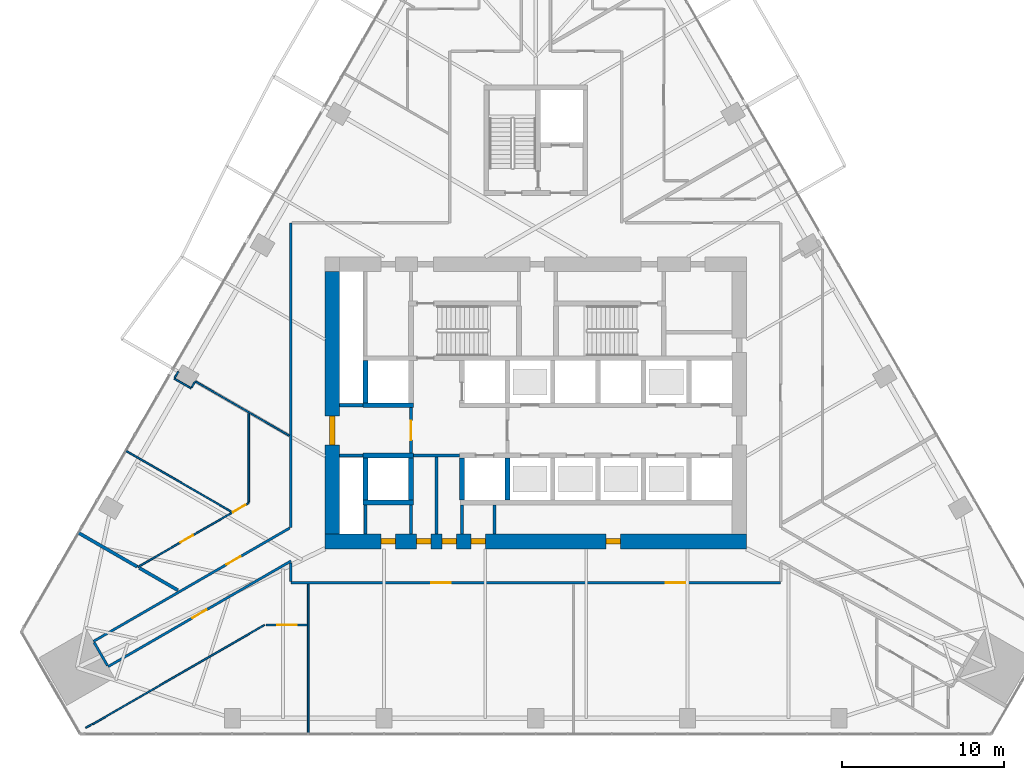
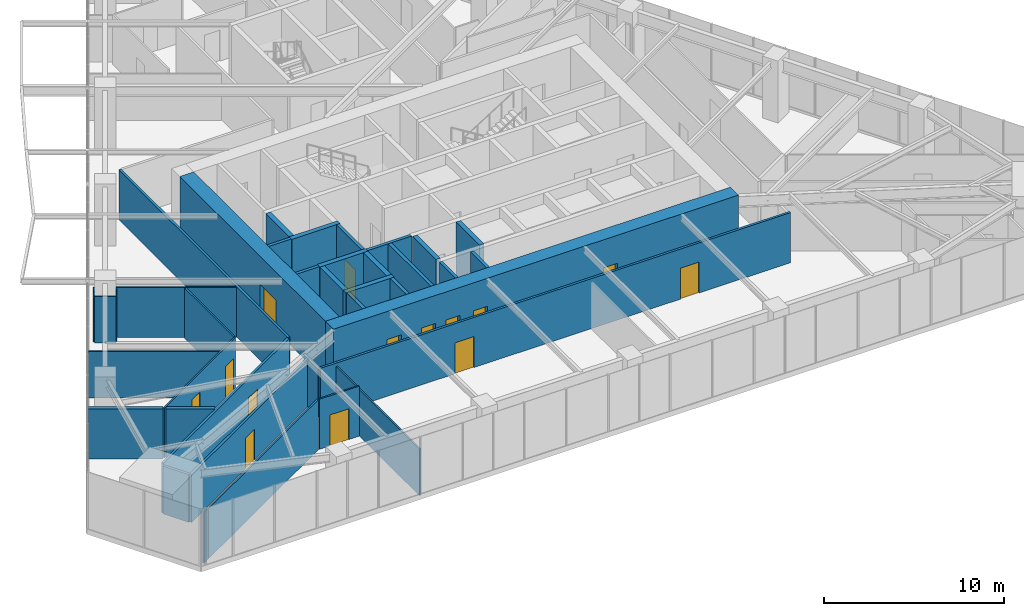
# One storey, part 16 of 22: 38 walls, 14 doors, 14 openings.
"""IFC4 building model written with IfcOpenShell, lengths in metres."""

from ifc_helpers import new_model, si_unit, direction, frame, frame_2d, origin, place, context, subcontext, project, spatial, rectangle, extrude, material, layer, layer_set, type_object, element, fill, save


model = new_model("IFC4")

# Units and contexts
model_context = context("Model", 3, precision=1e-05, world=origin(), true_north=direction((0.0, 1.0)))
body_context = subcontext(model_context, "Body", "Model", "MODEL_VIEW")
ifc_project = project(units=[si_unit("LENGTHUNIT", "METRE"), si_unit("AREAUNIT", "SQUARE_METRE"), si_unit("VOLUMEUNIT", "CUBIC_METRE"), si_unit("PLANEANGLEUNIT", "RADIAN"), si_unit("MASSUNIT", "GRAM", prefix="KILO")], contexts=[model_context])

# Site, building, storey
site_placement = place(None, origin())
site = spatial("IfcSite", under=ifc_project, at=site_placement, CompositionType="ELEMENT")
building_placement = place(site_placement, origin())
building = spatial("IfcBuilding", under=site, at=building_placement, Name="Firuza Gate Tower and Library", CompositionType="ELEMENT")
storey_placement = place(building_placement, frame((0.0, 0.0, 111.39990234375)))
storey = spatial("IfcBuildingStorey", under=building, at=storey_placement, Name="L25", CompositionType="ELEMENT", Elevation=111.39990234375)

# Walls
ifc_material_1 = material(Name="Plasterboard on steel studs", Category="steel")
ifc_layer_1 = layer(ifc_material_1, 0.199951171875)
ifc_layer_set_1 = layer_set([ifc_layer_1], Name="Core partition 200 EI 120")
wall_type_1 = type_object("IfcWallType", Name="Core partition 200 EI 120", PredefinedType="PARTITIONING", material=ifc_layer_set_1)
wall_1_placement = place(storey_placement, frame((62.89990234375, 71.75, 0.0), z_axis=(0.0, 0.0, 1.0), x_axis=(1.0, 0.0, 0.0)))
element("IfcWall", 1, at=wall_1_placement, inside=storey, type_object=wall_type_1, Name="Core partition L25 1", PredefinedType="PARTITIONING", context=body_context, shape_type="SweptSolid", body=[
    extrude(rectangle(XDim=1.4501953125, YDim=0.199951171875, at=frame_2d((0.72509765625, 0.0))), origin(), (0.0, 0.0, 1.0), 4.0),
])
wall_2_placement = place(storey_placement, frame((67.449951171875, 71.75, 0.0), z_axis=(0.0, 0.0, 1.0), x_axis=(1.0, 0.0, 0.0)))
element("IfcWall", 2, at=wall_2_placement, inside=storey, type_object=wall_type_1, Name="Core partition L25 2", PredefinedType="PARTITIONING", context=body_context, shape_type="SweptSolid", body=[
    extrude(rectangle(XDim=2.85009765625, YDim=0.199951171875, at=frame_2d((1.425048828125, 0.0))), origin(), (0.0, 0.0, 1.0), 4.0),
])
wall_3_placement = place(storey_placement, frame((62.89990234375, 74.85009765625, 0.0), z_axis=(0.0, 0.0, 1.0), x_axis=(1.0, 0.0, 0.0)))
element("IfcWall", 3, at=wall_3_placement, inside=storey, type_object=wall_type_1, Name="Core partition L25 3", PredefinedType="PARTITIONING", context=body_context, shape_type="SweptSolid", body=[
    extrude(rectangle(XDim=1.4501953125, YDim=0.199951171875, at=frame_2d((0.72509765625, 0.0))), origin(), (0.0, 0.0, 1.0), 4.0),
])
for number, where, z_axis, x_axis, name in (
    (4, (64.5, 66.89990234375, 0.0), (0.0, 0.0, 1.0), (0.0, 1.0, 0.0), "Core partition L25 5"),
    (5, (67.300048828125, 66.89990234375, 0.0), (0.0, 0.0, 1.0), (0.0, 1.0, 0.0), "Core partition L25 7"),
):
    element("IfcWall", number, at=place(storey_placement, frame(where, z_axis=z_axis, x_axis=x_axis)), inside=storey, type_object=wall_type_1, Name=name, PredefinedType="PARTITIONING", context=body_context, shape_type="SweptSolid", body=[
        extrude(rectangle(XDim=1.800048828125, YDim=0.199951171875, at=frame_2d((0.89990234375, 0.0))), origin(), (0.0, 0.0, 1.0), 4.0),
    ])
wall_4_placement = place(storey_placement, frame((68.875, 66.89990234375, 0.0), z_axis=(0.0, 0.0, 1.0), x_axis=(0.0, 1.0, 0.0)))
element("IfcWall", 6, at=wall_4_placement, inside=storey, type_object=wall_type_1, Name="Core partition L25 10", PredefinedType="PARTITIONING", context=body_context, shape_type="SweptSolid", body=[
    extrude(rectangle(XDim=4.75, YDim=0.199951171875, at=frame_2d((2.375, 0.0))), origin(), (0.0, 0.0, 1.0), 4.0),
])
for number, where, z_axis, x_axis, name in (
    (7, (70.449951171875, 66.89990234375, 0.0), (0.0, 0.0, 1.0), (0.0, 1.0, 0.0), "Core partition L25 11"),
    (8, (72.447998046875, 66.89990234375, 0.0), (0.0, 0.0, 1.0), (0.0, 1.0, 0.0), "Core partition L25 12"),
):
    element("IfcWall", number, at=place(storey_placement, frame(where, z_axis=z_axis, x_axis=x_axis)), inside=storey, type_object=wall_type_1, Name=name, PredefinedType="PARTITIONING", context=body_context, shape_type="SweptSolid", body=[
        extrude(rectangle(XDim=1.800048828125, YDim=0.199951171875, at=frame_2d((0.89990234375, 0.0))), origin(), (0.0, 0.0, 1.0), 4.0),
    ])

# Wall, opening, door
ifc_material_2 = material(Name="Plasterboard on steel studs", Category="steel")
ifc_layer_2 = layer(ifc_material_2, 0.199951171875)
ifc_layer_set_2 = layer_set([ifc_layer_2], Name="Core partition 200 EI 60")
wall_type_2 = type_object("IfcWallType", Name="Core partition 200 EI 60", PredefinedType="PARTITIONING", material=ifc_layer_set_2)
wall_5_placement = place(storey_placement, frame((67.300048828125, 71.89990234375, 0.0), z_axis=(0.0, 0.0, 1.0), x_axis=(0.0, 1.0, 0.0)))
wall_5 = element("IfcWall", 9, at=wall_5_placement, inside=storey, type_object=wall_type_2, Name="Core partition L25 8", PredefinedType="PARTITIONING", context=body_context, shape_type="SweptSolid", body=[
    extrude(rectangle(XDim=2.800048828125, YDim=0.199951171875, at=frame_2d((1.39990234375, 0.0))), origin(), (0.0, 0.0, 1.0), 4.0),
])
opening_1_placement = place(wall_5_placement, frame((0.800048828125, 0.0, 0.0)))
opening_1 = element("IfcOpeningElement", 10, at=opening_1_placement, cuts=wall_5, Name="Opening L25-K21", PredefinedType="OPENING", context=body_context, shape_type="SweptSolid", body=[
    extrude(rectangle(XDim=1.199951171875, YDim=2.10009765625, at=frame_2d((0.60009765625, 1.050048828125))), frame((0.0, 0.10986328125, 0.0), z_axis=(0.0, -1.0, 0.0), x_axis=(1.0, 0.0, 0.0)), (0.0, 0.0, 1.0), 0.219970703125),
])
ifc_material_3 = material(Name="Steel", Category="steel")
door_type_1 = type_object("IfcDoorType", Name="Fire door 1200x2100 FD90S", OperationType="NOTDEFINED", PredefinedType="DOOR", material=ifc_material_3)
door_1_placement = place(opening_1_placement, origin())
door_1 = element("IfcDoor", 11, at=door_1_placement, inside=storey, type_object=door_type_1, Name="Door L25-K21", OperationType="SINGLE_SWING_RIGHT", OverallHeight=2.10009765625, OverallWidth=1.199951171875, PredefinedType="DOOR", context=body_context, shape_type="SweptSolid", body=[
    extrude(rectangle(XDim=1.199951171875, YDim=2.10009765625, at=frame_2d((0.60009765625, 1.050048828125))), frame((0.0, 0.02490234375, 0.0), z_axis=(0.0, -1.0, 0.0), x_axis=(1.0, 0.0, 0.0)), (0.0, 0.0, 1.0), 0.050048828125),
])
fill(opening_1, door_1)

# Walls
ifc_material_4 = material(Name="Concrete C80/95", Category="concrete")
ifc_layer_3 = layer(ifc_material_4, 0.300048828125)
ifc_layer_set_3 = layer_set([ifc_layer_3], Name="Core wall 300 C80/95")
wall_type_3 = type_object("IfcWallType", Name="Core wall 300 C80/95", PredefinedType="SHEAR", material=ifc_layer_set_3)
for number, where, z_axis, x_axis, name in (
    (12, (64.35009765625, 68.85009765625, 0.0), (0.0, 0.0, 1.0), (1.0, 0.0, 0.0), "Core wall L25 5"),
    (13, (64.35009765625, 71.75, 0.0), (0.0, 0.0, 1.0), (1.0, 0.0, 0.0), "Core wall L25 7"),
    (14, (64.35009765625, 74.85009765625, 0.0), (0.0, 0.0, 1.0), (1.0, 0.0, 0.0), "Core wall L25 9"),
):
    element("IfcWall", number, at=place(storey_placement, frame(where, z_axis=z_axis, x_axis=x_axis)), inside=storey, type_object=wall_type_3, Name=name, PredefinedType="SHEAR", context=body_context, shape_type="SweptSolid", body=[
        extrude(rectangle(XDim=3.099853515625, YDim=0.300048828125, at=frame_2d((1.5498046875, 0.0))), origin(), (0.0, 0.0, 1.0), 4.0),
    ])
for number, where, z_axis, x_axis, name in (
    (15, (64.5, 69.0, 0.0), (0.0, 0.0, 1.0), (0.0, 1.0, 0.0), "Core wall L25 11"),
    (16, (64.5, 75.0, 0.0), (0.0, 0.0, 1.0), (0.0, 1.0, 0.0), "Core wall L25 12"),
    (17, (67.300048828125, 69.0, 0.0), (0.0, 0.0, 1.0), (0.0, 1.0, 0.0), "Core wall L25 13"),
    (18, (70.449951171875, 69.0, 0.0), (0.0, 0.0, 1.0), (0.0, 1.0, 0.0), "Core wall L25 15"),
    (19, (73.25, 69.0, 0.0), (0.0, 0.0, 1.0), (0.0, 1.0, 0.0), "Core wall L25 17"),
):
    element("IfcWall", number, at=place(storey_placement, frame(where, z_axis=z_axis, x_axis=x_axis)), inside=storey, type_object=wall_type_3, Name=name, PredefinedType="SHEAR", context=body_context, shape_type="SweptSolid", body=[
        extrude(rectangle(XDim=2.60009765625, YDim=0.300048828125, at=frame_2d((1.300048828125, 0.0))), origin(), (0.0, 0.0, 1.0), 4.0),
    ])

# Wall, openings, doors
ifc_material_5 = material(Name="Concrete C80/95", Category="concrete")
ifc_layer_4 = layer(ifc_material_5, 0.89990234375)
ifc_layer_set_4 = layer_set([ifc_layer_4], Name="Core wall 900 C80/95")
wall_type_4 = type_object("IfcWallType", Name="Core wall 900 C80/95", PredefinedType="SHEAR", material=ifc_layer_set_4)
wall_6_placement = place(storey_placement, frame((62.0, 66.449951171875, 0.0), z_axis=(0.0, 0.0, 1.0), x_axis=(1.0, 0.0, 0.0)))
wall_6 = element("IfcWall", 20, at=wall_6_placement, inside=storey, type_object=wall_type_4, Name="Core wall L25 1", PredefinedType="SHEAR", context=body_context, shape_type="SweptSolid", body=[
    extrude(rectangle(XDim=26.0, YDim=0.89990234375, at=frame_2d((13.0, 0.0))), origin(), (0.0, 0.0, 1.0), 4.0),
])
opening_2_placement = place(wall_6_placement, frame((3.449951171875, 0.0, 0.0)))
opening_2 = element("IfcOpeningElement", 21, at=opening_2_placement, cuts=wall_6, Name="Opening L25-K24", PredefinedType="OPENING", context=body_context, shape_type="SweptSolid", body=[
    extrude(rectangle(XDim=0.89990234375, YDim=2.10009765625, at=frame_2d((0.449951171875, 1.050048828125))), frame((0.0, 0.4599609375, 0.0), z_axis=(0.0, -1.0, 0.0), x_axis=(1.0, 0.0, 0.0)), (0.0, 0.0, 1.0), 0.919921875),
])
opening_3_placement = place(wall_6_placement, frame((5.637451171875, 0.0, 0.0)))
opening_3 = element("IfcOpeningElement", 22, at=opening_3_placement, cuts=wall_6, Name="Opening L25-K25", PredefinedType="OPENING", context=body_context, shape_type="SweptSolid", body=[
    extrude(rectangle(XDim=0.89990234375, YDim=2.10009765625, at=frame_2d((0.449951171875, 1.050048828125))), frame((0.0, 0.4599609375, 0.0), z_axis=(0.0, -1.0, 0.0), x_axis=(1.0, 0.0, 0.0)), (0.0, 0.0, 1.0), 0.919921875),
])
opening_4_placement = place(wall_6_placement, frame((7.21240234375, 0.0, 0.0)))
opening_4 = element("IfcOpeningElement", 23, at=opening_4_placement, cuts=wall_6, Name="Opening L25-K26", PredefinedType="OPENING", context=body_context, shape_type="SweptSolid", body=[
    extrude(rectangle(XDim=0.89990234375, YDim=2.10009765625, at=frame_2d((0.449951171875, 1.050048828125))), frame((0.0, 0.4599609375, 0.0), z_axis=(0.0, -1.0, 0.0), x_axis=(1.0, 0.0, 0.0)), (0.0, 0.0, 1.0), 0.919921875),
])
opening_5_placement = place(wall_6_placement, frame((8.9990234375, 0.0, 0.0)))
opening_5 = element("IfcOpeningElement", 24, at=opening_5_placement, cuts=wall_6, Name="Opening L25-K27", PredefinedType="OPENING", context=body_context, shape_type="SweptSolid", body=[
    extrude(rectangle(XDim=0.89990234375, YDim=2.10009765625, at=frame_2d((0.449951171875, 1.050048828125))), frame((0.0, 0.4599609375, 0.0), z_axis=(0.0, -1.0, 0.0), x_axis=(1.0, 0.0, 0.0)), (0.0, 0.0, 1.0), 0.919921875),
])
opening_6_placement = place(wall_6_placement, frame((17.323974609375, 0.0, 0.0)))
opening_6 = element("IfcOpeningElement", 25, at=opening_6_placement, cuts=wall_6, Name="Opening L25-K28", PredefinedType="OPENING", context=body_context, shape_type="SweptSolid", body=[
    extrude(rectangle(XDim=0.89990234375, YDim=2.10009765625, at=frame_2d((0.449951171875, 1.050048828125))), frame((0.0, 0.4599609375, 0.0), z_axis=(0.0, -1.0, 0.0), x_axis=(1.0, 0.0, 0.0)), (0.0, 0.0, 1.0), 0.919921875),
])
ifc_material_6 = material(Name="Steel", Category="steel")
door_type_2 = type_object("IfcDoorType", Name="Fire door 900x2100 FD30S", OperationType="NOTDEFINED", PredefinedType="DOOR", material=ifc_material_6)
door_2_placement = place(opening_2_placement, origin())
door_2 = element("IfcDoor", 26, at=door_2_placement, inside=storey, type_object=door_type_2, Name="Door L25-K24", OperationType="SINGLE_SWING_LEFT", OverallHeight=2.10009765625, OverallWidth=0.89990234375, PredefinedType="DOOR", context=body_context, shape_type="SweptSolid", body=[
    extrude(rectangle(XDim=0.89990234375, YDim=2.10009765625, at=frame_2d((0.449951171875, 1.050048828125))), frame((0.0, 0.169921875, 0.0), z_axis=(0.0, -1.0, 0.0), x_axis=(1.0, 0.0, 0.0)), (0.0, 0.0, 1.0), 0.33984375),
])
fill(opening_2, door_2)
door_3_placement = place(opening_3_placement, origin())
door_3 = element("IfcDoor", 27, at=door_3_placement, inside=storey, type_object=door_type_2, Name="Door L25-K25", OperationType="SINGLE_SWING_RIGHT", OverallHeight=2.10009765625, OverallWidth=0.89990234375, PredefinedType="DOOR", context=body_context, shape_type="SweptSolid", body=[
    extrude(rectangle(XDim=0.89990234375, YDim=2.10009765625, at=frame_2d((0.449951171875, 1.050048828125))), frame((0.0, 0.169921875, 0.0), z_axis=(0.0, -1.0, 0.0), x_axis=(1.0, 0.0, 0.0)), (0.0, 0.0, 1.0), 0.33984375),
])
fill(opening_3, door_3)
door_4_placement = place(opening_4_placement, origin())
door_4 = element("IfcDoor", 28, at=door_4_placement, inside=storey, type_object=door_type_2, Name="Door L25-K26", OperationType="SINGLE_SWING_LEFT", OverallHeight=2.10009765625, OverallWidth=0.89990234375, PredefinedType="DOOR", context=body_context, shape_type="SweptSolid", body=[
    extrude(rectangle(XDim=0.89990234375, YDim=2.10009765625, at=frame_2d((0.449951171875, 1.050048828125))), frame((0.0, 0.169921875, 0.0), z_axis=(0.0, -1.0, 0.0), x_axis=(1.0, 0.0, 0.0)), (0.0, 0.0, 1.0), 0.33984375),
])
fill(opening_4, door_4)
door_5_placement = place(opening_5_placement, origin())
door_5 = element("IfcDoor", 29, at=door_5_placement, inside=storey, type_object=door_type_2, Name="Door L25-K27", OperationType="SINGLE_SWING_RIGHT", OverallHeight=2.10009765625, OverallWidth=0.89990234375, PredefinedType="DOOR", context=body_context, shape_type="SweptSolid", body=[
    extrude(rectangle(XDim=0.89990234375, YDim=2.10009765625, at=frame_2d((0.449951171875, 1.050048828125))), frame((0.0, 0.169921875, 0.0), z_axis=(0.0, -1.0, 0.0), x_axis=(1.0, 0.0, 0.0)), (0.0, 0.0, 1.0), 0.33984375),
])
fill(opening_5, door_5)
door_6_placement = place(opening_6_placement, origin())
door_6 = element("IfcDoor", 30, at=door_6_placement, inside=storey, type_object=door_type_2, Name="Door L25-K28", OperationType="SINGLE_SWING_LEFT", OverallHeight=2.10009765625, OverallWidth=0.89990234375, PredefinedType="DOOR", context=body_context, shape_type="SweptSolid", body=[
    extrude(rectangle(XDim=0.89990234375, YDim=2.10009765625, at=frame_2d((0.449951171875, 1.050048828125))), frame((0.0, 0.169921875, 0.0), z_axis=(0.0, -1.0, 0.0), x_axis=(1.0, 0.0, 0.0)), (0.0, 0.0, 1.0), 0.33984375),
])
fill(opening_6, door_6)

# Wall, opening, door
wall_7_placement = place(storey_placement, frame((62.449951171875, 66.89990234375, 0.0), z_axis=(0.0, 0.0, 1.0), x_axis=(0.0, 1.0, 0.0)))
wall_7 = element("IfcWall", 31, at=wall_7_placement, inside=storey, type_object=wall_type_4, Name="Core wall L25 3", PredefinedType="SHEAR", context=body_context, shape_type="SweptSolid", body=[
    extrude(rectangle(XDim=16.2001953125, YDim=0.89990234375, at=frame_2d((8.10009765625, 0.0))), origin(), (0.0, 0.0, 1.0), 4.0),
])
opening_7_placement = place(wall_7_placement, frame((5.5, 0.0, 0.0)))
opening_7 = element("IfcOpeningElement", 32, at=opening_7_placement, cuts=wall_7, Name="Opening L25-K22", PredefinedType="OPENING", context=body_context, shape_type="SweptSolid", body=[
    extrude(rectangle(XDim=1.800048828125, YDim=2.10009765625, at=frame_2d((0.89990234375, 1.050048828125))), frame((0.0, 0.4599609375, 0.0), z_axis=(0.0, -1.0, 0.0), x_axis=(1.0, 0.0, 0.0)), (0.0, 0.0, 1.0), 0.919921875),
])
ifc_material_7 = material(Name="Steel", Category="steel")
door_type_3 = type_object("IfcDoorType", Name="Fire door 1800x2100 FD30S", OperationType="NOTDEFINED", PredefinedType="DOOR", material=ifc_material_7)
door_7_placement = place(opening_7_placement, origin())
door_7 = element("IfcDoor", 33, at=door_7_placement, inside=storey, type_object=door_type_3, Name="Door L25-K22", OperationType="SINGLE_SWING_LEFT", OverallHeight=2.10009765625, OverallWidth=1.800048828125, PredefinedType="DOOR", context=body_context, shape_type="SweptSolid", body=[
    extrude(rectangle(XDim=1.800048828125, YDim=2.10009765625, at=frame_2d((0.89990234375, 1.050048828125))), frame((0.0, 0.169921875, 0.0), z_axis=(0.0, -1.0, 0.0), x_axis=(1.0, 0.0, 0.0)), (0.0, 0.0, 1.0), 0.33984375),
])
fill(opening_7, door_7)

# Wall, openings, doors
ifc_material_8 = material(Name="Gypsum board partition")
ifc_layer_5 = layer(ifc_material_8, 0.14990234375)
ifc_layer_set_5 = layer_set([ifc_layer_5], Name="Corridor wall 150 double board on steel studs")
wall_type_5 = type_object("IfcWallType", Name="Corridor wall 150 double board on steel studs", PredefinedType="PARTITIONING", material=ifc_layer_set_5)
wall_8_placement = place(storey_placement, frame((90.099365234375, 63.89990234375, 0.0), z_axis=(0.0, 0.0, 1.0), x_axis=(-1.0, 0.0, 0.0)))
wall_8 = element("IfcWall", 34, at=wall_8_placement, inside=storey, type_object=wall_type_5, Name="f:L25:w001", PredefinedType="PARTITIONING", context=body_context, shape_type="SweptSolid", body=[
    extrude(rectangle(XDim=30.19873046875, YDim=0.14990234375, at=frame_2d((15.099365234375, 0.0))), origin(), (0.0, 0.0, 1.0), 3.400146484375),
])
opening_8_placement = place(wall_8_placement, frame((5.882080078125, 0.0, 0.0)))
opening_8 = element("IfcOpeningElement", 35, at=opening_8_placement, cuts=wall_8, Name="Opening L25-02", PredefinedType="OPENING", context=body_context, shape_type="SweptSolid", body=[
    extrude(rectangle(XDim=1.199951171875, YDim=2.10009765625, at=frame_2d((0.60009765625, 1.050048828125))), frame((0.0, 0.0849609375, 0.0), z_axis=(0.0, -1.0, 0.0), x_axis=(1.0, 0.0, 0.0)), (0.0, 0.0, 1.0), 0.169921875),
])
opening_9_placement = place(wall_8_placement, frame((20.345947265625, 0.0, 0.0)))
opening_9 = element("IfcOpeningElement", 36, at=opening_9_placement, cuts=wall_8, Name="Opening L25-03", PredefinedType="OPENING", context=body_context, shape_type="SweptSolid", body=[
    extrude(rectangle(XDim=1.199951171875, YDim=2.10009765625, at=frame_2d((0.60009765625, 1.050048828125))), frame((0.0, 0.0849609375, 0.0), z_axis=(0.0, -1.0, 0.0), x_axis=(1.0, 0.0, 0.0)), (0.0, 0.0, 1.0), 0.169921875),
])
ifc_material_9 = material(Name="Steel door and timber leaf", Category="steel")
door_type_4 = type_object("IfcDoorType", Name="Fire door 1200 x 2100 steel frame, double leaf", OperationType="NOTDEFINED", PredefinedType="DOOR", material=ifc_material_9)
door_8_placement = place(opening_8_placement, origin())
door_8 = element("IfcDoor", 37, at=door_8_placement, inside=storey, type_object=door_type_4, Name="f:L25:d002", OperationType="DOUBLE_DOOR_SINGLE_SWING", OverallHeight=2.10009765625, OverallWidth=1.199951171875, PredefinedType="DOOR", context=body_context, shape_type="SweptSolid", body=[
    extrude(rectangle(XDim=1.199951171875, YDim=2.10009765625, at=frame_2d((0.60009765625, 1.050048828125))), frame((0.0, 0.02490234375, 0.0), z_axis=(0.0, -1.0, 0.0), x_axis=(1.0, 0.0, 0.0)), (0.0, 0.0, 1.0), 0.050048828125),
])
fill(opening_8, door_8)
door_9_placement = place(opening_9_placement, origin())
door_9 = element("IfcDoor", 38, at=door_9_placement, inside=storey, type_object=door_type_4, Name="f:L25:d003", OperationType="DOUBLE_DOOR_SINGLE_SWING", OverallHeight=2.10009765625, OverallWidth=1.199951171875, PredefinedType="DOOR", context=body_context, shape_type="SweptSolid", body=[
    extrude(rectangle(XDim=1.199951171875, YDim=2.10009765625, at=frame_2d((0.60009765625, 1.050048828125))), frame((0.0, 0.02490234375, 0.0), z_axis=(0.0, -1.0, 0.0), x_axis=(1.0, 0.0, 0.0)), (0.0, 0.0, 1.0), 0.050048828125),
])
fill(opening_9, door_9)

# Wall, opening, door
wall_9_placement = place(storey_placement, frame((48.618896484375, 58.729736328125, 0.0), z_axis=(0.0, 0.0, 1.0), x_axis=(0.866022351388, 0.500005286868, 0.0)))
wall_9 = element("IfcWall", 39, at=wall_9_placement, inside=storey, type_object=wall_type_5, Name="f:L25:w014", PredefinedType="PARTITIONING", context=body_context, shape_type="SweptSolid", body=[
    extrude(rectangle(XDim=13.026123046875, YDim=0.14990234375, at=frame_2d((6.51318359375, 0.0))), origin(), (0.0, 0.0, 1.0), 3.2470703125),
])
opening_10_placement = place(wall_9_placement, frame((6.01318359375, 0.0, 0.0)))
opening_10 = element("IfcOpeningElement", 40, at=opening_10_placement, cuts=wall_9, Name="Opening L25-11", PredefinedType="OPENING", context=body_context, shape_type="SweptSolid", body=[
    extrude(rectangle(XDim=1.0, YDim=2.10009765625, at=frame_2d((0.5, 1.050048828125))), frame((0.0, 0.0849609375, 0.0), z_axis=(0.0, -1.0, 0.0), x_axis=(1.0, 0.0, 0.0)), (0.0, 0.0, 1.0), 0.169921875),
])
ifc_material_10 = material(Name="Steel door and timber leaf", Category="steel")
door_type_5 = type_object("IfcDoorType", Name="Fire door 1000 x 2100 steel frame, timber leaf", OperationType="NOTDEFINED", PredefinedType="DOOR", material=ifc_material_10)
door_10_placement = place(opening_10_placement, origin())
door_10 = element("IfcDoor", 41, at=door_10_placement, inside=storey, type_object=door_type_5, Name="f:L25:d011", OperationType="SINGLE_SWING_RIGHT", OverallHeight=2.10009765625, OverallWidth=1.0, PredefinedType="DOOR", context=body_context, shape_type="SweptSolid", body=[
    extrude(rectangle(XDim=1.0, YDim=2.10009765625, at=frame_2d((0.5, 1.050048828125))), frame((0.0, 0.02490234375, 0.0), z_axis=(0.0, -1.0, 0.0), x_axis=(1.0, 0.0, 0.0)), (0.0, 0.0, 1.0), 0.050048828125),
])
fill(opening_10, door_10)

wall_10_placement = place(storey_placement, frame((47.71875, 60.28857421875, 0.0), z_axis=(0.0, 0.0, 1.0), x_axis=(0.866025916507, 0.499999111938, 0.0)))
wall_10 = element("IfcWall", 42, at=wall_10_placement, inside=storey, type_object=wall_type_5, Name="f:L25:w017", PredefinedType="PARTITIONING", context=body_context, shape_type="SweptSolid", body=[
    extrude(rectangle(XDim=13.97900390625, YDim=0.14990234375, at=frame_2d((6.989501953125, 0.0))), origin(), (0.0, 0.0, 1.0), 3.400146484375),
])
opening_11_placement = place(wall_10_placement, frame((9.46728515625, 0.0, 0.0)))
opening_11 = element("IfcOpeningElement", 43, at=opening_11_placement, cuts=wall_10, Name="Opening L25-12", PredefinedType="OPENING", context=body_context, shape_type="SweptSolid", body=[
    extrude(rectangle(XDim=1.0, YDim=2.10009765625, at=frame_2d((0.5, 1.050048828125))), frame((0.0, 0.0849609375, 0.0), z_axis=(0.0, -1.0, 0.0), x_axis=(1.0, 0.0, 0.0)), (0.0, 0.0, 1.0), 0.169921875),
])
door_11_placement = place(opening_11_placement, origin())
door_11 = element("IfcDoor", 44, at=door_11_placement, inside=storey, type_object=door_type_5, Name="f:L25:d012", OperationType="SINGLE_SWING_LEFT", OverallHeight=2.10009765625, OverallWidth=1.0, PredefinedType="DOOR", context=body_context, shape_type="SweptSolid", body=[
    extrude(rectangle(XDim=1.0, YDim=2.10009765625, at=frame_2d((0.5, 1.050048828125))), frame((0.0, 0.02490234375, 0.0), z_axis=(0.0, -1.0, 0.0), x_axis=(1.0, 0.0, 0.0)), (0.0, 0.0, 1.0), 0.050048828125),
])
fill(opening_11, door_11)

# Walls
wall_11_placement = place(storey_placement, frame((59.89990234375, 63.9755859375, 0.0), z_axis=(0.0, 0.0, 1.0), x_axis=(0.0, 1.0, 0.0)))
element("IfcWall", 45, at=wall_11_placement, inside=storey, type_object=wall_type_5, Name="f:L25:w047", PredefinedType="PARTITIONING", context=body_context, shape_type="SweptSolid", body=[
    extrude(rectangle(XDim=1.130615234375, YDim=0.14990234375, at=frame_2d((0.5654296875, 0.0))), origin(), (0.0, 0.0, 1.0), 3.2470703125),
])
wall_12_placement = place(storey_placement, frame((59.89990234375, 67.3212890625, 0.0), z_axis=(0.0, 0.0, 1.0), x_axis=(0.0, 1.0, 0.0)))
element("IfcWall", 46, at=wall_12_placement, inside=storey, type_object=wall_type_5, Name="f:L25:w048", PredefinedType="PARTITIONING", context=body_context, shape_type="SweptSolid", body=[
    extrude(rectangle(XDim=18.778076171875, YDim=0.14990234375, at=frame_2d((9.38916015625, 0.0))), origin(), (0.0, 0.0, 1.0), 3.400146484375),
])
wall_13_placement = place(storey_placement, frame((48.580322265625, 58.79443359375, 0.0), z_axis=(0.0, 0.0, 1.0), x_axis=(-0.499944585209, 0.866057395165, 0.0)))
element("IfcWall", 47, at=wall_13_placement, inside=storey, type_object=wall_type_5, Name="f:L25:w053", PredefinedType="PARTITIONING", context=body_context, shape_type="SweptSolid", body=[
    extrude(rectangle(XDim=1.649169921875, YDim=0.14990234375, at=frame_2d((0.82470703125, 0.0))), origin(), (0.0, 0.0, 1.0), 3.2470703125),
])
ifc_material_11 = material(Name="Gypsum board partition")
ifc_layer_6 = layer(ifc_material_11, 0.199951171875)
ifc_layer_set_6 = layer_set([ifc_layer_6], Name="Demising wall 200 acoustic double stud")
wall_type_6 = type_object("IfcWallType", Name="Demising wall 200 acoustic double stud", PredefinedType="PARTITIONING", material=ifc_layer_set_6)
wall_14_placement = place(storey_placement, frame((52.926025390625, 63.44140625, 0.0), z_axis=(0.0, 0.0, 1.0), x_axis=(-0.866019409031, 0.500010383074, 0.0)))
element("IfcWall", 48, at=wall_14_placement, inside=storey, type_object=wall_type_6, Name="f:L25:w067", PredefinedType="PARTITIONING", context=body_context, shape_type="SweptSolid", body=[
    extrude(rectangle(XDim=2.740234375, YDim=0.199951171875, at=frame_2d((1.3701171875, 0.0))), origin(), (0.0, 0.0, 1.0), 3.400146484375),
])
wall_15_placement = place(storey_placement, frame((50.41552734375, 64.89111328125, 0.0), z_axis=(0.0, 0.0, 1.0), x_axis=(-0.866054366634, 0.499949831517, 0.0)))
element("IfcWall", 49, at=wall_15_placement, inside=storey, type_object=wall_type_6, Name="f:L25:w071", PredefinedType="PARTITIONING", context=body_context, shape_type="SweptSolid", body=[
    extrude(rectangle(XDim=4.1826171875, YDim=0.199951171875, at=frame_2d((2.09130859375, 0.0))), origin(), (0.0, 0.0, 1.0), 3.400146484375),
])

# Wall, opening, door
ifc_material_12 = material(Name="Gypsum board partition")
ifc_layer_7 = layer(ifc_material_12, 0.10009765625)
ifc_layer_set_7 = layer_set([ifc_layer_7], Name="Partition 100 gypsum board on steel studs")
wall_type_7 = type_object("IfcWallType", Name="Partition 100 gypsum board on steel studs", PredefinedType="PARTITIONING", material=ifc_layer_set_7)
wall_16_placement = place(storey_placement, frame((60.918701171875, 61.300048828125, 0.0), z_axis=(0.0, 0.0, 1.0), x_axis=(-1.0, 0.0, 0.0)))
wall_16 = element("IfcWall", 50, at=wall_16_placement, inside=storey, type_object=wall_type_7, Name="f:L25:w000", PredefinedType="PARTITIONING", context=body_context, shape_type="SweptSolid", body=[
    extrude(rectangle(XDim=2.547607421875, YDim=0.10009765625, at=frame_2d((1.27392578125, 0.0))), origin(), (0.0, 0.0, 1.0), 3.400146484375),
])
opening_12_placement = place(wall_16_placement, frame((0.673828125, 0.0, 0.0)))
opening_12 = element("IfcOpeningElement", 51, at=opening_12_placement, cuts=wall_16, Name="Opening L25-01", PredefinedType="OPENING", context=body_context, shape_type="SweptSolid", body=[
    extrude(rectangle(XDim=1.199951171875, YDim=2.10009765625, at=frame_2d((0.60009765625, 1.050048828125))), frame((0.0, 0.06005859375, 0.0), z_axis=(0.0, -1.0, 0.0), x_axis=(1.0, 0.0, 0.0)), (0.0, 0.0, 1.0), 0.1201171875),
])
ifc_material_13 = material(Name="Glazed aluminium door", Category="aluminium")
door_type_6 = type_object("IfcDoorType", Name="Door 1200 x 2100 glazed double leaf", OperationType="NOTDEFINED", PredefinedType="DOOR", material=ifc_material_13)
door_12_placement = place(opening_12_placement, origin())
door_12 = element("IfcDoor", 52, at=door_12_placement, inside=storey, type_object=door_type_6, Name="f:L25:d001", OperationType="DOUBLE_DOOR_SINGLE_SWING", OverallHeight=2.10009765625, OverallWidth=1.199951171875, PredefinedType="DOOR", context=body_context, shape_type="SweptSolid", body=[
    extrude(rectangle(XDim=1.199951171875, YDim=2.10009765625, at=frame_2d((0.60009765625, 1.050048828125))), frame((0.0, 0.02490234375, 0.0), z_axis=(0.0, -1.0, 0.0), x_axis=(1.0, 0.0, 0.0)), (0.0, 0.0, 1.0), 0.050048828125),
])
fill(opening_12, door_12)

# Walls
wall_17_placement = place(storey_placement, frame((47.666748046875, 55.177734375, 0.0), z_axis=(0.0, 0.0, 1.0), x_axis=(0.866022223021, 0.500005509203, 0.0)))
element("IfcWall", 53, at=wall_17_placement, inside=storey, type_object=wall_type_7, Name="f:L25:w012", PredefinedType="PARTITIONING", context=body_context, shape_type="SweptSolid", body=[
    extrude(rectangle(XDim=12.244384765625, YDim=0.10009765625, at=frame_2d((6.1220703125, 0.0))), origin(), (0.0, 0.0, 1.0), 3.400146484375),
])
wall_18_placement = place(storey_placement, frame((47.24755859375, 54.957763671875, 0.0), z_axis=(0.0, 0.0, 1.0), x_axis=(0.865944638795, 0.50013986298, 0.0)))
element("IfcWall", 54, at=wall_18_placement, inside=storey, type_object=wall_type_7, Name="f:L25:w013", PredefinedType="PARTITIONING", context=body_context, shape_type="SweptSolid", body=[
    extrude(rectangle(XDim=0.472412109375, YDim=0.10009765625, at=frame_2d((0.236328125, 0.0))), origin(), (0.0, 0.0, 1.0), 3.400146484375),
])

# Wall, openings, doors
wall_19_placement = place(storey_placement, frame((57.300048828125, 68.822509765625, 0.0), z_axis=(0.0, 0.0, 1.0), x_axis=(-0.866030292833, -0.499991531824, 0.0)))
wall_19 = element("IfcWall", 55, at=wall_19_placement, inside=storey, type_object=wall_type_7, Name="f:L25:w018", PredefinedType="PARTITIONING", context=body_context, shape_type="SweptSolid", body=[
    extrude(rectangle(XDim=7.906494140625, YDim=0.10009765625, at=frame_2d((3.953125, 0.0))), origin(), (0.0, 0.0, 1.0), 3.400146484375),
])
opening_13_placement = place(wall_19_placement, frame((0.2294921875, 0.0, 0.0)))
opening_13 = element("IfcOpeningElement", 56, at=opening_13_placement, cuts=wall_19, Name="Opening L25-13", PredefinedType="OPENING", context=body_context, shape_type="SweptSolid", body=[
    extrude(rectangle(XDim=0.89990234375, YDim=2.10009765625, at=frame_2d((0.449951171875, 1.050048828125))), frame((0.0, 0.06005859375, 0.0), z_axis=(0.0, -1.0, 0.0), x_axis=(1.0, 0.0, 0.0)), (0.0, 0.0, 1.0), 0.1201171875),
])
opening_14_placement = place(wall_19_placement, frame((3.979248046875, 0.0, 0.0)))
opening_14 = element("IfcOpeningElement", 57, at=opening_14_placement, cuts=wall_19, Name="Opening L25-14", PredefinedType="OPENING", context=body_context, shape_type="SweptSolid", body=[
    extrude(rectangle(XDim=0.89990234375, YDim=2.10009765625, at=frame_2d((0.449951171875, 1.050048828125))), frame((0.0, 0.06005859375, 0.0), z_axis=(0.0, -1.0, 0.0), x_axis=(1.0, 0.0, 0.0)), (0.0, 0.0, 1.0), 0.1201171875),
])
ifc_material_14 = material(Name="Timber door", Category="wood")
door_type_7 = type_object("IfcDoorType", Name="Door 900 x 2100 timber leaf", OperationType="NOTDEFINED", PredefinedType="DOOR", material=ifc_material_14)
door_13_placement = place(opening_13_placement, origin())
door_13 = element("IfcDoor", 58, at=door_13_placement, inside=storey, type_object=door_type_7, Name="f:L25:d013", OperationType="SINGLE_SWING_LEFT", OverallHeight=2.10009765625, OverallWidth=0.89990234375, PredefinedType="DOOR", context=body_context, shape_type="SweptSolid", body=[
    extrude(rectangle(XDim=0.89990234375, YDim=2.10009765625, at=frame_2d((0.449951171875, 1.050048828125))), frame((0.0, 0.02490234375, 0.0), z_axis=(0.0, -1.0, 0.0), x_axis=(1.0, 0.0, 0.0)), (0.0, 0.0, 1.0), 0.050048828125),
])
fill(opening_13, door_13)
door_14_placement = place(opening_14_placement, origin())
door_14 = element("IfcDoor", 59, at=door_14_placement, inside=storey, type_object=door_type_7, Name="f:L25:d014", OperationType="SINGLE_SWING_RIGHT", OverallHeight=2.10009765625, OverallWidth=0.89990234375, PredefinedType="DOOR", context=body_context, shape_type="SweptSolid", body=[
    extrude(rectangle(XDim=0.89990234375, YDim=2.10009765625, at=frame_2d((0.449951171875, 1.050048828125))), frame((0.0, 0.02490234375, 0.0), z_axis=(0.0, -1.0, 0.0), x_axis=(1.0, 0.0, 0.0)), (0.0, 0.0, 1.0), 0.050048828125),
])
fill(opening_14, door_14)

# Walls
wall_20_placement = place(storey_placement, frame((53.7705078125, 75.947509765625, 0.0), z_axis=(0.0, 0.0, 1.0), x_axis=(0.500246304613, 0.865883153041, 0.0)))
element("IfcWall", 60, at=wall_20_placement, inside=storey, type_object=wall_type_7, Name="f:L25:w026", PredefinedType="PARTITIONING", context=body_context, shape_type="SweptSolid", body=[
    extrude(rectangle(XDim=0.389892578125, YDim=0.10009765625, at=frame_2d((0.19482421875, 0.0))), origin(), (0.0, 0.0, 1.0), 3.400146484375),
])
wall_21_placement = place(storey_placement, frame((52.72998046875, 76.544921875, 0.0), z_axis=(0.0, 0.0, 1.0), x_axis=(0.49999285859, 0.86602952684, 0.0)))
element("IfcWall", 61, at=wall_21_placement, inside=storey, type_object=wall_type_7, Name="f:L25:w027", PredefinedType="PARTITIONING", context=body_context, shape_type="SweptSolid", body=[
    extrude(rectangle(XDim=0.44287109375, YDim=0.10009765625, at=frame_2d((0.221435546875, 0.0))), origin(), (0.0, 0.0, 1.0), 3.400146484375),
])
wall_22_placement = place(storey_placement, frame((60.968994140625, 54.5810546875, 0.0), z_axis=(0.0, 0.0, 1.0), x_axis=(0.0, 1.0, 0.0)))
element("IfcWall", 62, at=wall_22_placement, inside=storey, type_object=wall_type_7, Name="f:L25:w046", PredefinedType="PARTITIONING", context=body_context, shape_type="SweptSolid", body=[
    extrude(rectangle(XDim=9.243896484375, YDim=0.10009765625, at=frame_2d((4.6220703125, 0.0))), origin(), (0.0, 0.0, 1.0), 3.1650390625),
])
wall_23_placement = place(storey_placement, frame((57.300048828125, 68.880126953125, 0.0), z_axis=(0.0, 0.0, 1.0), x_axis=(0.0, 1.0, 0.0)))
element("IfcWall", 63, at=wall_23_placement, inside=storey, type_object=wall_type_7, Name="f:L25:w049", PredefinedType="PARTITIONING", context=body_context, shape_type="SweptSolid", body=[
    extrude(rectangle(XDim=5.449951171875, YDim=0.10009765625, at=frame_2d((2.72509765625, 0.0))), origin(), (0.0, 0.0, 1.0), 3.400146484375),
])
wall_24_placement = place(storey_placement, frame((59.799072265625, 72.975341796875, 0.0), z_axis=(0.0, 0.0, 1.0), x_axis=(-0.866037071789, 0.499979789879, 0.0)))
element("IfcWall", 64, at=wall_24_placement, inside=storey, type_object=wall_type_7, Name="f:L25:w064", PredefinedType="PARTITIONING", context=body_context, shape_type="SweptSolid", body=[
    extrude(rectangle(XDim=6.706787109375, YDim=0.10009765625, at=frame_2d((3.353515625, 0.0))), origin(), (0.0, 0.0, 1.0), 3.400146484375),
])
wall_25_placement = place(storey_placement, frame((53.74072265625, 75.895751953125, 0.0), z_axis=(0.0, 0.0, 1.0), x_axis=(-0.866094119867, 0.499880961361, 0.0)))
element("IfcWall", 65, at=wall_25_placement, inside=storey, type_object=wall_type_7, Name="f:L25:w065", PredefinedType="PARTITIONING", context=body_context, shape_type="SweptSolid", body=[
    extrude(rectangle(XDim=1.199951171875, YDim=0.10009765625, at=frame_2d((0.60009765625, 0.0))), origin(), (0.0, 0.0, 1.0), 3.1650390625),
])
wall_26_placement = place(storey_placement, frame((56.22314453125, 68.288330078125, 0.0), z_axis=(0.0, 0.0, 1.0), x_axis=(-0.866018922649, 0.500011225488, 0.0)))
element("IfcWall", 66, at=wall_26_placement, inside=storey, type_object=wall_type_7, Name="f:L25:w066", PredefinedType="PARTITIONING", context=body_context, shape_type="SweptSolid", body=[
    extrude(rectangle(XDim=7.513427734375, YDim=0.10009765625, at=frame_2d((3.7568359375, 0.0))), origin(), (0.0, 0.0, 1.0), 3.1650390625),
])

save(model, "model.ifc")
